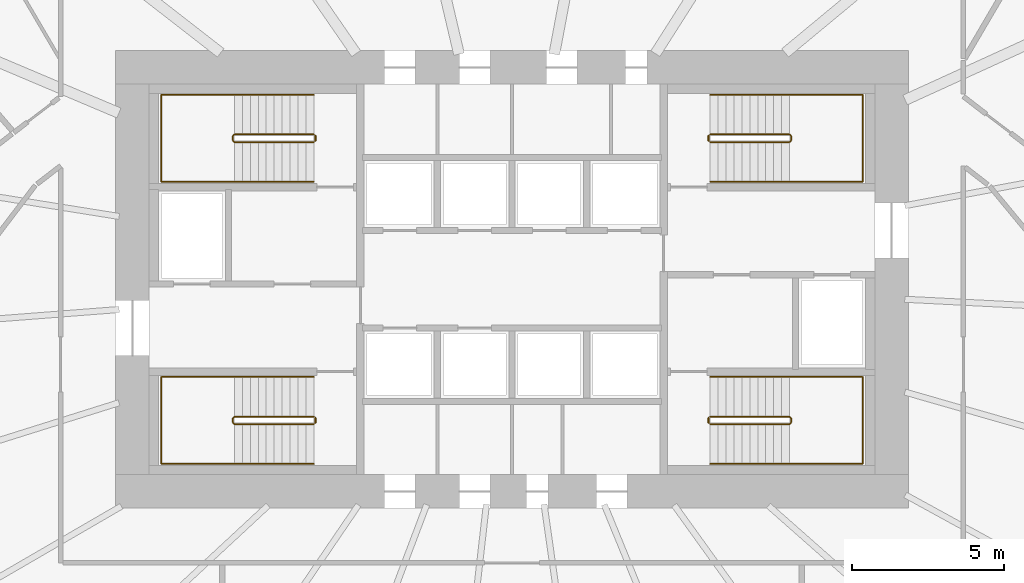
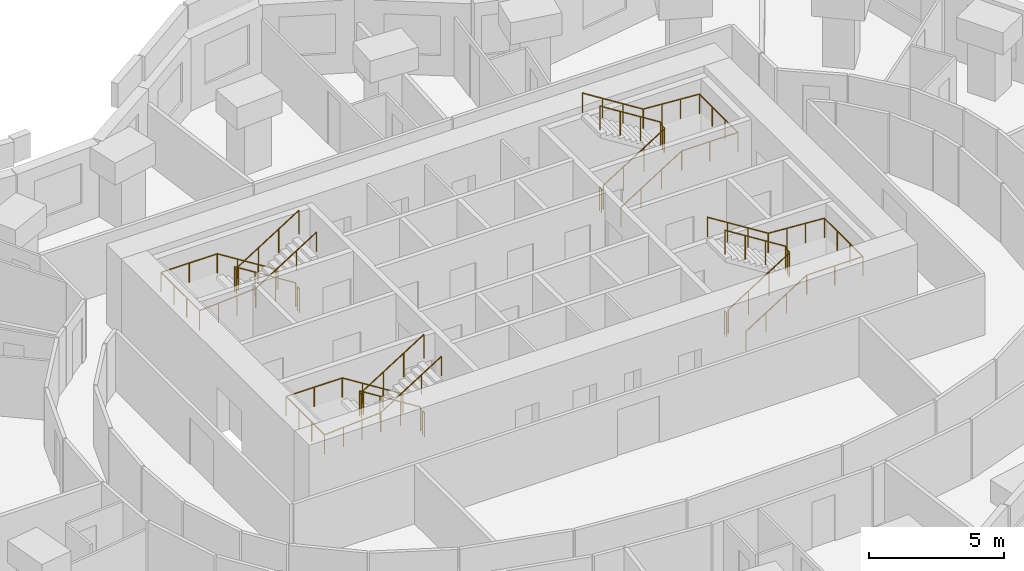
# One storey, part 12 of 12: 12 railings.
"""IFC4 building model written with IfcOpenShell, lengths in metres."""

from ifc_helpers import new_model, si_unit, direction, frame, origin, origin_2d, place, context, subcontext, project, spatial, circle, extrude, material, type_object, element, save


model = new_model("IFC4")

# Units and contexts
model_context = context("Model", 3, precision=1e-05, world=origin(), true_north=direction((0.0, 1.0)))
body_context = subcontext(model_context, "Body", "Model", "MODEL_VIEW")
ifc_project = project(units=[si_unit("LENGTHUNIT", "METRE"), si_unit("AREAUNIT", "SQUARE_METRE"), si_unit("VOLUMEUNIT", "CUBIC_METRE"), si_unit("PLANEANGLEUNIT", "RADIAN"), si_unit("MASSUNIT", "GRAM", prefix="KILO")], contexts=[model_context])

# Site, building, storey
site_placement = place(None, origin())
site = spatial("IfcSite", under=ifc_project, at=site_placement, CompositionType="ELEMENT")
building_placement = place(site_placement, origin())
building = spatial("IfcBuilding", under=site, at=building_placement, Name="Rubra Terraces Tower", CompositionType="ELEMENT")
storey_placement = place(building_placement, frame((0.0, 0.0, 117.60009765625)))
storey = spatial("IfcBuildingStorey", under=building, at=storey_placement, Name="L28", CompositionType="ELEMENT", Elevation=117.60009765625)

# Railings
ifc_material = material(Name="Stainless steel", Category="steel")
railing_type_1 = type_object("IfcRailingType", Name="Core stair guard 1100", PredefinedType="GUARDRAIL", material=ifc_material)
railing_1_placement = place(storey_placement, frame((-6.5, 0.0, 0.16357421875)))
element("IfcRailing", 1, at=railing_1_placement, inside=storey, type_object=railing_type_1, Name="L28 stair S1 guard 1", PredefinedType="GUARDRAIL", context=body_context, shape_type="SweptSolid", body=[
    extrude(circle(Radius=0.02392578125, at=origin_2d()), frame((0.0, 0.0, 1.076171875), z_axis=(-0.846360218416, 0.0, 0.532610909279), x_axis=(0.0, -1.0, 0.0)), (0.0, 0.0, 1.0), 3.072021484375),
    extrude(circle(Radius=0.02392578125, at=origin_2d()), frame((-2.60009765625, 0.0, 2.71240234375), z_axis=(-0.705375805398, -0.708833529934, 0.0), x_axis=(0.708833529934, -0.705375805398, 0.0)), (0.0, 0.0, 1.0), 0.070556640625),
    extrude(circle(Radius=0.02392578125, at=origin_2d()), frame((-2.64990234375, -0.050048828125, 2.71240234375), z_axis=(0.0, -1.0, 0.0), x_axis=(1.0, 0.0, 0.0)), (0.0, 0.0, 1.0), 0.14990234375),
    extrude(circle(Radius=0.02392578125, at=origin_2d()), frame((-2.64990234375, -0.199951171875, 2.71240234375), z_axis=(0.279194930351, -0.280563532951, 0.91833234444), x_axis=(0.708833529934, 0.705375805398, 0.0)), (0.0, 0.0, 1.0), 0.178466796875),
    extrude(circle(Radius=0.02392578125, at=origin_2d()), frame((-2.60009765625, -0.25, 2.8759765625), z_axis=(0.846360218416, 0.0, 0.532610909279), x_axis=(0.0, 1.0, 0.0)), (0.0, 0.0, 1.0), 3.072021484375),
    extrude(circle(Radius=0.02099609375, at=origin_2d()), origin(), (0.0, 0.0, 1.0), 1.052001953125),
    extrude(circle(Radius=0.02099609375, at=origin_2d()), frame((-0.86669921875, 0.0, 0.54541015625)), (0.0, 0.0, 1.0), 1.052001953125),
    extrude(circle(Radius=0.02099609375, at=origin_2d()), frame((-1.7333984375, 0.0, 1.0908203125)), (0.0, 0.0, 1.0), 1.052001953125),
    extrude(circle(Radius=0.02099609375, at=origin_2d()), frame((-2.60009765625, 0.0, 1.63623046875)), (0.0, 0.0, 1.0), 1.052001953125),
    extrude(circle(Radius=0.02099609375, at=origin_2d()), frame((-2.64990234375, -0.050048828125, 1.63623046875)), (0.0, 0.0, 1.0), 1.052001953125),
    extrude(circle(Radius=0.02099609375, at=origin_2d()), frame((-2.64990234375, -0.199951171875, 1.63623046875)), (0.0, 0.0, 1.0), 1.052001953125),
    extrude(circle(Radius=0.02099609375, at=origin_2d()), frame((-2.60009765625, -0.25, 1.800048828125)), (0.0, 0.0, 1.0), 1.052001953125),
    extrude(circle(Radius=0.02099609375, at=origin_2d()), frame((-1.7333984375, -0.25, 2.345458984375)), (0.0, 0.0, 1.0), 1.052001953125),
    extrude(circle(Radius=0.02099609375, at=origin_2d()), frame((-0.86669921875, -0.25, 2.890869140625)), (0.0, 0.0, 1.0), 1.052001953125),
    extrude(circle(Radius=0.02099609375, at=origin_2d()), frame((0.0, -0.25, 3.436279296875)), (0.0, 0.0, 1.0), 1.052001953125),
])
railing_2_placement = place(storey_placement, frame((-6.449951171875, -0.050048828125, 0.0)))
element("IfcRailing", 2, at=railing_2_placement, inside=storey, type_object=railing_type_1, Name="L28 stair S1 guard 2", PredefinedType="GUARDRAIL", context=body_context, shape_type="SweptSolid", body=[
    extrude(circle(Radius=0.02392578125, at=origin_2d()), frame((0.0, 0.0, 1.076171875), z_axis=(0.0, -1.0, 0.0), x_axis=(1.0, 0.0, 0.0)), (0.0, 0.0, 1.0), 0.14990234375),
    extrude(circle(Radius=0.02099609375, at=origin_2d()), origin(), (0.0, 0.0, 1.0), 1.052001953125),
    extrude(circle(Radius=0.02099609375, at=origin_2d()), frame((0.0, -0.14990234375, 0.0)), (0.0, 0.0, 1.0), 1.052001953125),
])
railing_3_placement = place(storey_placement, frame((-6.5, 9.25, 0.16357421875)))
element("IfcRailing", 3, at=railing_3_placement, inside=storey, type_object=railing_type_1, Name="L28 stair S2 guard 1", PredefinedType="GUARDRAIL", context=body_context, shape_type="SweptSolid", body=[
    extrude(circle(Radius=0.02392578125, at=origin_2d()), frame((0.0, 0.0, 1.076171875), z_axis=(-0.846360218416, 0.0, 0.532610909279), x_axis=(0.0, -1.0, 0.0)), (0.0, 0.0, 1.0), 3.072021484375),
    extrude(circle(Radius=0.02392578125, at=origin_2d()), frame((-2.60009765625, 0.0, 2.71240234375), z_axis=(-0.705375805398, -0.708833529934, 0.0), x_axis=(0.708833529934, -0.705375805398, 0.0)), (0.0, 0.0, 1.0), 0.070556640625),
    extrude(circle(Radius=0.02392578125, at=origin_2d()), frame((-2.64990234375, -0.050048828125, 2.71240234375), z_axis=(0.0, -1.0, 0.0), x_axis=(1.0, 0.0, 0.0)), (0.0, 0.0, 1.0), 0.14990234375),
    extrude(circle(Radius=0.02392578125, at=origin_2d()), frame((-2.64990234375, -0.199951171875, 2.71240234375), z_axis=(0.279194930351, -0.280563532951, 0.91833234444), x_axis=(0.708833529934, 0.705375805398, 0.0)), (0.0, 0.0, 1.0), 0.178466796875),
    extrude(circle(Radius=0.02392578125, at=origin_2d()), frame((-2.60009765625, -0.25, 2.8759765625), z_axis=(0.846360218416, 0.0, 0.532610909279), x_axis=(0.0, 1.0, 0.0)), (0.0, 0.0, 1.0), 3.072021484375),
    extrude(circle(Radius=0.02099609375, at=origin_2d()), origin(), (0.0, 0.0, 1.0), 1.052001953125),
    extrude(circle(Radius=0.02099609375, at=origin_2d()), frame((-0.86669921875, 0.0, 0.54541015625)), (0.0, 0.0, 1.0), 1.052001953125),
    extrude(circle(Radius=0.02099609375, at=origin_2d()), frame((-1.7333984375, 0.0, 1.0908203125)), (0.0, 0.0, 1.0), 1.052001953125),
    extrude(circle(Radius=0.02099609375, at=origin_2d()), frame((-2.60009765625, 0.0, 1.63623046875)), (0.0, 0.0, 1.0), 1.052001953125),
    extrude(circle(Radius=0.02099609375, at=origin_2d()), frame((-2.64990234375, -0.050048828125, 1.63623046875)), (0.0, 0.0, 1.0), 1.052001953125),
    extrude(circle(Radius=0.02099609375, at=origin_2d()), frame((-2.64990234375, -0.199951171875, 1.63623046875)), (0.0, 0.0, 1.0), 1.052001953125),
    extrude(circle(Radius=0.02099609375, at=origin_2d()), frame((-2.60009765625, -0.25, 1.800048828125)), (0.0, 0.0, 1.0), 1.052001953125),
    extrude(circle(Radius=0.02099609375, at=origin_2d()), frame((-1.7333984375, -0.25, 2.345458984375)), (0.0, 0.0, 1.0), 1.052001953125),
    extrude(circle(Radius=0.02099609375, at=origin_2d()), frame((-0.86669921875, -0.25, 2.890869140625)), (0.0, 0.0, 1.0), 1.052001953125),
    extrude(circle(Radius=0.02099609375, at=origin_2d()), frame((0.0, -0.25, 3.436279296875)), (0.0, 0.0, 1.0), 1.052001953125),
])
railing_4_placement = place(storey_placement, frame((-6.449951171875, 9.199951171875, 0.0)))
element("IfcRailing", 4, at=railing_4_placement, inside=storey, type_object=railing_type_1, Name="L28 stair S2 guard 2", PredefinedType="GUARDRAIL", context=body_context, shape_type="SweptSolid", body=[
    extrude(circle(Radius=0.02392578125, at=origin_2d()), frame((0.0, 0.0, 1.076171875), z_axis=(0.0, -1.0, 0.0), x_axis=(1.0, 0.0, 0.0)), (0.0, 0.0, 1.0), 0.14990234375),
    extrude(circle(Radius=0.02099609375, at=origin_2d()), origin(), (0.0, 0.0, 1.0), 1.052001953125),
    extrude(circle(Radius=0.02099609375, at=origin_2d()), frame((0.0, -0.14990234375, 0.0)), (0.0, 0.0, 1.0), 1.052001953125),
])
railing_5_placement = place(storey_placement, frame((6.5, 9.0, 0.16357421875)))
element("IfcRailing", 5, at=railing_5_placement, inside=storey, type_object=railing_type_1, Name="L28 stair S3 guard 1", PredefinedType="GUARDRAIL", context=body_context, shape_type="SweptSolid", body=[
    extrude(circle(Radius=0.02392578125, at=origin_2d()), frame((0.0, 0.0, 1.076171875), z_axis=(0.846360218416, 0.0, 0.532610909279), x_axis=(0.0, 1.0, 0.0)), (0.0, 0.0, 1.0), 3.072021484375),
    extrude(circle(Radius=0.02392578125, at=origin_2d()), frame((2.60009765625, 0.0, 2.71240234375), z_axis=(0.705375805398, 0.708833529934, 0.0), x_axis=(-0.708833529934, 0.705375805398, 0.0)), (0.0, 0.0, 1.0), 0.070556640625),
    extrude(circle(Radius=0.02392578125, at=origin_2d()), frame((2.64990234375, 0.050048828125, 2.71240234375), z_axis=(0.0, 1.0, 0.0), x_axis=(-1.0, 0.0, 0.0)), (0.0, 0.0, 1.0), 0.14990234375),
    extrude(circle(Radius=0.02392578125, at=origin_2d()), frame((2.64990234375, 0.199951171875, 2.71240234375), z_axis=(-0.279194930351, 0.280563532951, 0.91833234444), x_axis=(-0.708833529934, -0.705375805398, 0.0)), (0.0, 0.0, 1.0), 0.178466796875),
    extrude(circle(Radius=0.02392578125, at=origin_2d()), frame((2.60009765625, 0.25, 2.8759765625), z_axis=(-0.846360218416, 0.0, 0.532610909279), x_axis=(0.0, -1.0, 0.0)), (0.0, 0.0, 1.0), 3.072021484375),
    extrude(circle(Radius=0.02099609375, at=origin_2d()), origin(), (0.0, 0.0, 1.0), 1.052001953125),
    extrude(circle(Radius=0.02099609375, at=origin_2d()), frame((0.86669921875, 0.0, 0.54541015625)), (0.0, 0.0, 1.0), 1.052001953125),
    extrude(circle(Radius=0.02099609375, at=origin_2d()), frame((1.7333984375, 0.0, 1.0908203125)), (0.0, 0.0, 1.0), 1.052001953125),
    extrude(circle(Radius=0.02099609375, at=origin_2d()), frame((2.60009765625, 0.0, 1.63623046875)), (0.0, 0.0, 1.0), 1.052001953125),
    extrude(circle(Radius=0.02099609375, at=origin_2d()), frame((2.64990234375, 0.050048828125, 1.63623046875)), (0.0, 0.0, 1.0), 1.052001953125),
    extrude(circle(Radius=0.02099609375, at=origin_2d()), frame((2.64990234375, 0.199951171875, 1.63623046875)), (0.0, 0.0, 1.0), 1.052001953125),
    extrude(circle(Radius=0.02099609375, at=origin_2d()), frame((2.60009765625, 0.25, 1.800048828125)), (0.0, 0.0, 1.0), 1.052001953125),
    extrude(circle(Radius=0.02099609375, at=origin_2d()), frame((1.7333984375, 0.25, 2.345458984375)), (0.0, 0.0, 1.0), 1.052001953125),
    extrude(circle(Radius=0.02099609375, at=origin_2d()), frame((0.86669921875, 0.25, 2.890869140625)), (0.0, 0.0, 1.0), 1.052001953125),
    extrude(circle(Radius=0.02099609375, at=origin_2d()), frame((0.0, 0.25, 3.436279296875)), (0.0, 0.0, 1.0), 1.052001953125),
])
railing_6_placement = place(storey_placement, frame((6.449951171875, 9.050048828125, 0.0)))
element("IfcRailing", 6, at=railing_6_placement, inside=storey, type_object=railing_type_1, Name="L28 stair S3 guard 2", PredefinedType="GUARDRAIL", context=body_context, shape_type="SweptSolid", body=[
    extrude(circle(Radius=0.02392578125, at=origin_2d()), frame((0.0, 0.0, 1.076171875), z_axis=(0.0, 1.0, 0.0), x_axis=(-1.0, 0.0, 0.0)), (0.0, 0.0, 1.0), 0.14990234375),
    extrude(circle(Radius=0.02099609375, at=origin_2d()), origin(), (0.0, 0.0, 1.0), 1.052001953125),
    extrude(circle(Radius=0.02099609375, at=origin_2d()), frame((0.0, 0.14990234375, 0.0)), (0.0, 0.0, 1.0), 1.052001953125),
])
railing_7_placement = place(storey_placement, frame((6.5, -0.25, 0.16357421875)))
element("IfcRailing", 7, at=railing_7_placement, inside=storey, type_object=railing_type_1, Name="L28 stair S4 guard 1", PredefinedType="GUARDRAIL", context=body_context, shape_type="SweptSolid", body=[
    extrude(circle(Radius=0.02392578125, at=origin_2d()), frame((0.0, 0.0, 1.076171875), z_axis=(0.846360218416, 0.0, 0.532610909279), x_axis=(0.0, 1.0, 0.0)), (0.0, 0.0, 1.0), 3.072021484375),
    extrude(circle(Radius=0.02392578125, at=origin_2d()), frame((2.60009765625, 0.0, 2.71240234375), z_axis=(0.705375805398, 0.708833529934, 0.0), x_axis=(-0.708833529934, 0.705375805398, 0.0)), (0.0, 0.0, 1.0), 0.070556640625),
    extrude(circle(Radius=0.02392578125, at=origin_2d()), frame((2.64990234375, 0.050048828125, 2.71240234375), z_axis=(0.0, 1.0, 0.0), x_axis=(-1.0, 0.0, 0.0)), (0.0, 0.0, 1.0), 0.14990234375),
    extrude(circle(Radius=0.02392578125, at=origin_2d()), frame((2.64990234375, 0.199951171875, 2.71240234375), z_axis=(-0.279194930351, 0.280563532951, 0.91833234444), x_axis=(-0.708833529934, -0.705375805398, 0.0)), (0.0, 0.0, 1.0), 0.178466796875),
    extrude(circle(Radius=0.02392578125, at=origin_2d()), frame((2.60009765625, 0.25, 2.8759765625), z_axis=(-0.846360218416, 0.0, 0.532610909279), x_axis=(0.0, -1.0, 0.0)), (0.0, 0.0, 1.0), 3.072021484375),
    extrude(circle(Radius=0.02099609375, at=origin_2d()), origin(), (0.0, 0.0, 1.0), 1.052001953125),
    extrude(circle(Radius=0.02099609375, at=origin_2d()), frame((0.86669921875, 0.0, 0.54541015625)), (0.0, 0.0, 1.0), 1.052001953125),
    extrude(circle(Radius=0.02099609375, at=origin_2d()), frame((1.7333984375, 0.0, 1.0908203125)), (0.0, 0.0, 1.0), 1.052001953125),
    extrude(circle(Radius=0.02099609375, at=origin_2d()), frame((2.60009765625, 0.0, 1.63623046875)), (0.0, 0.0, 1.0), 1.052001953125),
    extrude(circle(Radius=0.02099609375, at=origin_2d()), frame((2.64990234375, 0.050048828125, 1.63623046875)), (0.0, 0.0, 1.0), 1.052001953125),
    extrude(circle(Radius=0.02099609375, at=origin_2d()), frame((2.64990234375, 0.199951171875, 1.63623046875)), (0.0, 0.0, 1.0), 1.052001953125),
    extrude(circle(Radius=0.02099609375, at=origin_2d()), frame((2.60009765625, 0.25, 1.800048828125)), (0.0, 0.0, 1.0), 1.052001953125),
    extrude(circle(Radius=0.02099609375, at=origin_2d()), frame((1.7333984375, 0.25, 2.345458984375)), (0.0, 0.0, 1.0), 1.052001953125),
    extrude(circle(Radius=0.02099609375, at=origin_2d()), frame((0.86669921875, 0.25, 2.890869140625)), (0.0, 0.0, 1.0), 1.052001953125),
    extrude(circle(Radius=0.02099609375, at=origin_2d()), frame((0.0, 0.25, 3.436279296875)), (0.0, 0.0, 1.0), 1.052001953125),
])
railing_8_placement = place(storey_placement, frame((6.449951171875, -0.199951171875, 0.0)))
element("IfcRailing", 8, at=railing_8_placement, inside=storey, type_object=railing_type_1, Name="L28 stair S4 guard 2", PredefinedType="GUARDRAIL", context=body_context, shape_type="SweptSolid", body=[
    extrude(circle(Radius=0.02392578125, at=origin_2d()), frame((0.0, 0.0, 1.076171875), z_axis=(0.0, 1.0, 0.0), x_axis=(-1.0, 0.0, 0.0)), (0.0, 0.0, 1.0), 0.14990234375),
    extrude(circle(Radius=0.02099609375, at=origin_2d()), origin(), (0.0, 0.0, 1.0), 1.052001953125),
    extrude(circle(Radius=0.02099609375, at=origin_2d()), frame((0.0, 0.14990234375, 0.0)), (0.0, 0.0, 1.0), 1.052001953125),
])
railing_type_2 = type_object("IfcRailingType", Name="Core stair handrail 900", PredefinedType="HANDRAIL", material=ifc_material)
railing_9_placement = place(storey_placement, frame((-6.5, 1.300048828125, 0.16357421875)))
element("IfcRailing", 9, at=railing_9_placement, inside=storey, type_object=railing_type_2, Name="L28 stair S1 handrail 1", PredefinedType="HANDRAIL", context=body_context, shape_type="SweptSolid", body=[
    extrude(circle(Radius=0.02392578125, at=origin_2d()), frame((0.0, 0.0, 0.8759765625), z_axis=(-0.846360218416, 0.0, 0.532610909279), x_axis=(0.0, -1.0, 0.0)), (0.0, 0.0, 1.0), 3.072021484375),
    extrude(circle(Radius=0.02392578125, at=origin_2d()), frame((-2.60009765625, 0.0, 2.51220703125), z_axis=(-1.0, 0.0, 0.0), x_axis=(0.0, -1.0, 0.0)), (0.0, 0.0, 1.0), 2.39990234375),
    extrude(circle(Radius=0.02392578125, at=origin_2d()), frame((-5.0, 0.0, 2.51220703125), z_axis=(0.0, -1.0, 0.0), x_axis=(1.0, 0.0, 0.0)), (0.0, 0.0, 1.0), 2.85009765625),
    extrude(circle(Radius=0.02392578125, at=origin_2d()), frame((-5.0, -2.85009765625, 2.51220703125), z_axis=(0.997678367104, 0.0, 0.06810195161), x_axis=(0.0, 1.0, 0.0)), (0.0, 0.0, 1.0), 2.405517578125),
    extrude(circle(Radius=0.02392578125, at=origin_2d()), frame((-2.60009765625, -2.85009765625, 2.67578125), z_axis=(0.846360218416, 0.0, 0.532610909279), x_axis=(0.0, 1.0, 0.0)), (0.0, 0.0, 1.0), 3.072021484375),
    extrude(circle(Radius=0.02099609375, at=origin_2d()), origin(), (0.0, 0.0, 1.0), 0.851806640625),
    extrude(circle(Radius=0.02099609375, at=origin_2d()), frame((-0.86669921875, 0.0, 0.54541015625)), (0.0, 0.0, 1.0), 0.851806640625),
    extrude(circle(Radius=0.02099609375, at=origin_2d()), frame((-1.7333984375, 0.0, 1.0908203125)), (0.0, 0.0, 1.0), 0.851806640625),
    extrude(circle(Radius=0.02099609375, at=origin_2d()), frame((-2.60009765625, 0.0, 1.63623046875)), (0.0, 0.0, 1.0), 0.851806640625),
    extrude(circle(Radius=0.02099609375, at=origin_2d()), frame((-3.800048828125, 0.0, 1.63623046875)), (0.0, 0.0, 1.0), 0.851806640625),
    extrude(circle(Radius=0.02099609375, at=origin_2d()), frame((-5.0, 0.0, 1.63623046875)), (0.0, 0.0, 1.0), 0.851806640625),
    extrude(circle(Radius=0.02099609375, at=origin_2d()), frame((-5.0, -0.949951171875, 1.63623046875)), (0.0, 0.0, 1.0), 0.851806640625),
    extrude(circle(Radius=0.02099609375, at=origin_2d()), frame((-5.0, -1.900146484375, 1.63623046875)), (0.0, 0.0, 1.0), 0.851806640625),
    extrude(circle(Radius=0.02099609375, at=origin_2d()), frame((-5.0, -2.85009765625, 1.63623046875)), (0.0, 0.0, 1.0), 0.851806640625),
    extrude(circle(Radius=0.02099609375, at=origin_2d()), frame((-4.199951171875, -2.85009765625, 1.69091796875)), (0.0, 0.0, 1.0), 0.851806640625),
    extrude(circle(Radius=0.02099609375, at=origin_2d()), frame((-3.400146484375, -2.85009765625, 1.745361328125)), (0.0, 0.0, 1.0), 0.851806640625),
    extrude(circle(Radius=0.02099609375, at=origin_2d()), frame((-2.60009765625, -2.85009765625, 1.800048828125)), (0.0, 0.0, 1.0), 0.851806640625),
    extrude(circle(Radius=0.02099609375, at=origin_2d()), frame((-1.7333984375, -2.85009765625, 2.345458984375)), (0.0, 0.0, 1.0), 0.851806640625),
    extrude(circle(Radius=0.02099609375, at=origin_2d()), frame((-0.86669921875, -2.85009765625, 2.890869140625)), (0.0, 0.0, 1.0), 0.851806640625),
    extrude(circle(Radius=0.02099609375, at=origin_2d()), frame((0.0, -2.85009765625, 3.436279296875)), (0.0, 0.0, 1.0), 0.851806640625),
])
railing_10_placement = place(storey_placement, frame((-6.5, 10.550048828125, 0.16357421875)))
element("IfcRailing", 10, at=railing_10_placement, inside=storey, type_object=railing_type_2, Name="L28 stair S2 handrail 1", PredefinedType="HANDRAIL", context=body_context, shape_type="SweptSolid", body=[
    extrude(circle(Radius=0.02392578125, at=origin_2d()), frame((0.0, 0.0, 0.8759765625), z_axis=(-0.846360218416, 0.0, 0.532610909279), x_axis=(0.0, -1.0, 0.0)), (0.0, 0.0, 1.0), 3.072021484375),
    extrude(circle(Radius=0.02392578125, at=origin_2d()), frame((-2.60009765625, 0.0, 2.51220703125), z_axis=(-1.0, 0.0, 0.0), x_axis=(0.0, -1.0, 0.0)), (0.0, 0.0, 1.0), 2.39990234375),
    extrude(circle(Radius=0.02392578125, at=origin_2d()), frame((-5.0, 0.0, 2.51220703125), z_axis=(0.0, -1.0, 0.0), x_axis=(1.0, 0.0, 0.0)), (0.0, 0.0, 1.0), 2.85009765625),
    extrude(circle(Radius=0.02392578125, at=origin_2d()), frame((-5.0, -2.85009765625, 2.51220703125), z_axis=(0.997678367104, 0.0, 0.06810195161), x_axis=(0.0, 1.0, 0.0)), (0.0, 0.0, 1.0), 2.405517578125),
    extrude(circle(Radius=0.02392578125, at=origin_2d()), frame((-2.60009765625, -2.85009765625, 2.67578125), z_axis=(0.846360218416, 0.0, 0.532610909279), x_axis=(0.0, 1.0, 0.0)), (0.0, 0.0, 1.0), 3.072021484375),
    extrude(circle(Radius=0.02099609375, at=origin_2d()), origin(), (0.0, 0.0, 1.0), 0.851806640625),
    extrude(circle(Radius=0.02099609375, at=origin_2d()), frame((-0.86669921875, 0.0, 0.54541015625)), (0.0, 0.0, 1.0), 0.851806640625),
    extrude(circle(Radius=0.02099609375, at=origin_2d()), frame((-1.7333984375, 0.0, 1.0908203125)), (0.0, 0.0, 1.0), 0.851806640625),
    extrude(circle(Radius=0.02099609375, at=origin_2d()), frame((-2.60009765625, 0.0, 1.63623046875)), (0.0, 0.0, 1.0), 0.851806640625),
    extrude(circle(Radius=0.02099609375, at=origin_2d()), frame((-3.800048828125, 0.0, 1.63623046875)), (0.0, 0.0, 1.0), 0.851806640625),
    extrude(circle(Radius=0.02099609375, at=origin_2d()), frame((-5.0, 0.0, 1.63623046875)), (0.0, 0.0, 1.0), 0.851806640625),
    extrude(circle(Radius=0.02099609375, at=origin_2d()), frame((-5.0, -0.949951171875, 1.63623046875)), (0.0, 0.0, 1.0), 0.851806640625),
    extrude(circle(Radius=0.02099609375, at=origin_2d()), frame((-5.0, -1.900146484375, 1.63623046875)), (0.0, 0.0, 1.0), 0.851806640625),
    extrude(circle(Radius=0.02099609375, at=origin_2d()), frame((-5.0, -2.85009765625, 1.63623046875)), (0.0, 0.0, 1.0), 0.851806640625),
    extrude(circle(Radius=0.02099609375, at=origin_2d()), frame((-4.199951171875, -2.85009765625, 1.69091796875)), (0.0, 0.0, 1.0), 0.851806640625),
    extrude(circle(Radius=0.02099609375, at=origin_2d()), frame((-3.400146484375, -2.85009765625, 1.745361328125)), (0.0, 0.0, 1.0), 0.851806640625),
    extrude(circle(Radius=0.02099609375, at=origin_2d()), frame((-2.60009765625, -2.85009765625, 1.800048828125)), (0.0, 0.0, 1.0), 0.851806640625),
    extrude(circle(Radius=0.02099609375, at=origin_2d()), frame((-1.7333984375, -2.85009765625, 2.345458984375)), (0.0, 0.0, 1.0), 0.851806640625),
    extrude(circle(Radius=0.02099609375, at=origin_2d()), frame((-0.86669921875, -2.85009765625, 2.890869140625)), (0.0, 0.0, 1.0), 0.851806640625),
    extrude(circle(Radius=0.02099609375, at=origin_2d()), frame((0.0, -2.85009765625, 3.436279296875)), (0.0, 0.0, 1.0), 0.851806640625),
])
railing_11_placement = place(storey_placement, frame((6.5, 7.699951171875, 0.16357421875)))
element("IfcRailing", 11, at=railing_11_placement, inside=storey, type_object=railing_type_2, Name="L28 stair S3 handrail 1", PredefinedType="HANDRAIL", context=body_context, shape_type="SweptSolid", body=[
    extrude(circle(Radius=0.02392578125, at=origin_2d()), frame((0.0, 0.0, 0.8759765625), z_axis=(0.846360218416, 0.0, 0.532610909279), x_axis=(0.0, 1.0, 0.0)), (0.0, 0.0, 1.0), 3.072021484375),
    extrude(circle(Radius=0.02392578125, at=origin_2d()), frame((2.60009765625, 0.0, 2.51220703125), z_axis=(1.0, 0.0, 0.0), x_axis=(0.0, 1.0, 0.0)), (0.0, 0.0, 1.0), 2.39990234375),
    extrude(circle(Radius=0.02392578125, at=origin_2d()), frame((5.0, 0.0, 2.51220703125), z_axis=(0.0, 1.0, 0.0), x_axis=(-1.0, 0.0, 0.0)), (0.0, 0.0, 1.0), 2.85009765625),
    extrude(circle(Radius=0.02392578125, at=origin_2d()), frame((5.0, 2.85009765625, 2.51220703125), z_axis=(-0.997678367104, 0.0, 0.06810195161), x_axis=(0.0, -1.0, 0.0)), (0.0, 0.0, 1.0), 2.405517578125),
    extrude(circle(Radius=0.02392578125, at=origin_2d()), frame((2.60009765625, 2.85009765625, 2.67578125), z_axis=(-0.846360218416, 0.0, 0.532610909279), x_axis=(0.0, -1.0, 0.0)), (0.0, 0.0, 1.0), 3.072021484375),
    extrude(circle(Radius=0.02099609375, at=origin_2d()), origin(), (0.0, 0.0, 1.0), 0.851806640625),
    extrude(circle(Radius=0.02099609375, at=origin_2d()), frame((0.86669921875, 0.0, 0.54541015625)), (0.0, 0.0, 1.0), 0.851806640625),
    extrude(circle(Radius=0.02099609375, at=origin_2d()), frame((1.7333984375, 0.0, 1.0908203125)), (0.0, 0.0, 1.0), 0.851806640625),
    extrude(circle(Radius=0.02099609375, at=origin_2d()), frame((2.60009765625, 0.0, 1.63623046875)), (0.0, 0.0, 1.0), 0.851806640625),
    extrude(circle(Radius=0.02099609375, at=origin_2d()), frame((3.800048828125, 0.0, 1.63623046875)), (0.0, 0.0, 1.0), 0.851806640625),
    extrude(circle(Radius=0.02099609375, at=origin_2d()), frame((5.0, 0.0, 1.63623046875)), (0.0, 0.0, 1.0), 0.851806640625),
    extrude(circle(Radius=0.02099609375, at=origin_2d()), frame((5.0, 0.949951171875, 1.63623046875)), (0.0, 0.0, 1.0), 0.851806640625),
    extrude(circle(Radius=0.02099609375, at=origin_2d()), frame((5.0, 1.900146484375, 1.63623046875)), (0.0, 0.0, 1.0), 0.851806640625),
    extrude(circle(Radius=0.02099609375, at=origin_2d()), frame((5.0, 2.85009765625, 1.63623046875)), (0.0, 0.0, 1.0), 0.851806640625),
    extrude(circle(Radius=0.02099609375, at=origin_2d()), frame((4.199951171875, 2.85009765625, 1.69091796875)), (0.0, 0.0, 1.0), 0.851806640625),
    extrude(circle(Radius=0.02099609375, at=origin_2d()), frame((3.400146484375, 2.85009765625, 1.745361328125)), (0.0, 0.0, 1.0), 0.851806640625),
    extrude(circle(Radius=0.02099609375, at=origin_2d()), frame((2.60009765625, 2.85009765625, 1.800048828125)), (0.0, 0.0, 1.0), 0.851806640625),
    extrude(circle(Radius=0.02099609375, at=origin_2d()), frame((1.7333984375, 2.85009765625, 2.345458984375)), (0.0, 0.0, 1.0), 0.851806640625),
    extrude(circle(Radius=0.02099609375, at=origin_2d()), frame((0.86669921875, 2.85009765625, 2.890869140625)), (0.0, 0.0, 1.0), 0.851806640625),
    extrude(circle(Radius=0.02099609375, at=origin_2d()), frame((0.0, 2.85009765625, 3.436279296875)), (0.0, 0.0, 1.0), 0.851806640625),
])
railing_12_placement = place(storey_placement, frame((6.5, -1.550048828125, 0.16357421875)))
element("IfcRailing", 12, at=railing_12_placement, inside=storey, type_object=railing_type_2, Name="L28 stair S4 handrail 1", PredefinedType="HANDRAIL", context=body_context, shape_type="SweptSolid", body=[
    extrude(circle(Radius=0.02392578125, at=origin_2d()), frame((0.0, 0.0, 0.8759765625), z_axis=(0.846360218416, 0.0, 0.532610909279), x_axis=(0.0, 1.0, 0.0)), (0.0, 0.0, 1.0), 3.072021484375),
    extrude(circle(Radius=0.02392578125, at=origin_2d()), frame((2.60009765625, 0.0, 2.51220703125), z_axis=(1.0, 0.0, 0.0), x_axis=(0.0, 1.0, 0.0)), (0.0, 0.0, 1.0), 2.39990234375),
    extrude(circle(Radius=0.02392578125, at=origin_2d()), frame((5.0, 0.0, 2.51220703125), z_axis=(0.0, 1.0, 0.0), x_axis=(-1.0, 0.0, 0.0)), (0.0, 0.0, 1.0), 2.85009765625),
    extrude(circle(Radius=0.02392578125, at=origin_2d()), frame((5.0, 2.85009765625, 2.51220703125), z_axis=(-0.997678367104, 0.0, 0.06810195161), x_axis=(0.0, -1.0, 0.0)), (0.0, 0.0, 1.0), 2.405517578125),
    extrude(circle(Radius=0.02392578125, at=origin_2d()), frame((2.60009765625, 2.85009765625, 2.67578125), z_axis=(-0.846360218416, 0.0, 0.532610909279), x_axis=(0.0, -1.0, 0.0)), (0.0, 0.0, 1.0), 3.072021484375),
    extrude(circle(Radius=0.02099609375, at=origin_2d()), origin(), (0.0, 0.0, 1.0), 0.851806640625),
    extrude(circle(Radius=0.02099609375, at=origin_2d()), frame((0.86669921875, 0.0, 0.54541015625)), (0.0, 0.0, 1.0), 0.851806640625),
    extrude(circle(Radius=0.02099609375, at=origin_2d()), frame((1.7333984375, 0.0, 1.0908203125)), (0.0, 0.0, 1.0), 0.851806640625),
    extrude(circle(Radius=0.02099609375, at=origin_2d()), frame((2.60009765625, 0.0, 1.63623046875)), (0.0, 0.0, 1.0), 0.851806640625),
    extrude(circle(Radius=0.02099609375, at=origin_2d()), frame((3.800048828125, 0.0, 1.63623046875)), (0.0, 0.0, 1.0), 0.851806640625),
    extrude(circle(Radius=0.02099609375, at=origin_2d()), frame((5.0, 0.0, 1.63623046875)), (0.0, 0.0, 1.0), 0.851806640625),
    extrude(circle(Radius=0.02099609375, at=origin_2d()), frame((5.0, 0.949951171875, 1.63623046875)), (0.0, 0.0, 1.0), 0.851806640625),
    extrude(circle(Radius=0.02099609375, at=origin_2d()), frame((5.0, 1.900146484375, 1.63623046875)), (0.0, 0.0, 1.0), 0.851806640625),
    extrude(circle(Radius=0.02099609375, at=origin_2d()), frame((5.0, 2.85009765625, 1.63623046875)), (0.0, 0.0, 1.0), 0.851806640625),
    extrude(circle(Radius=0.02099609375, at=origin_2d()), frame((4.199951171875, 2.85009765625, 1.69091796875)), (0.0, 0.0, 1.0), 0.851806640625),
    extrude(circle(Radius=0.02099609375, at=origin_2d()), frame((3.400146484375, 2.85009765625, 1.745361328125)), (0.0, 0.0, 1.0), 0.851806640625),
    extrude(circle(Radius=0.02099609375, at=origin_2d()), frame((2.60009765625, 2.85009765625, 1.800048828125)), (0.0, 0.0, 1.0), 0.851806640625),
    extrude(circle(Radius=0.02099609375, at=origin_2d()), frame((1.7333984375, 2.85009765625, 2.345458984375)), (0.0, 0.0, 1.0), 0.851806640625),
    extrude(circle(Radius=0.02099609375, at=origin_2d()), frame((0.86669921875, 2.85009765625, 2.890869140625)), (0.0, 0.0, 1.0), 0.851806640625),
    extrude(circle(Radius=0.02099609375, at=origin_2d()), frame((0.0, 2.85009765625, 3.436279296875)), (0.0, 0.0, 1.0), 0.851806640625),
])

save(model, "model.ifc")
